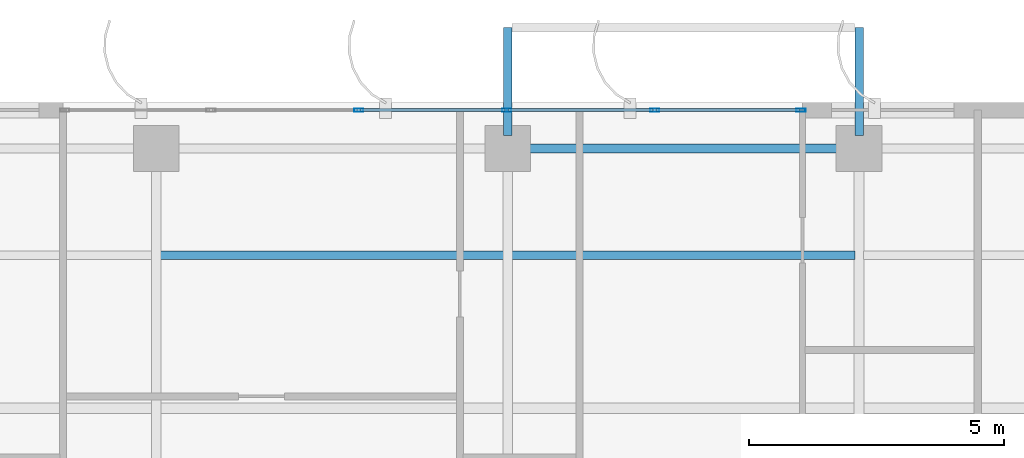
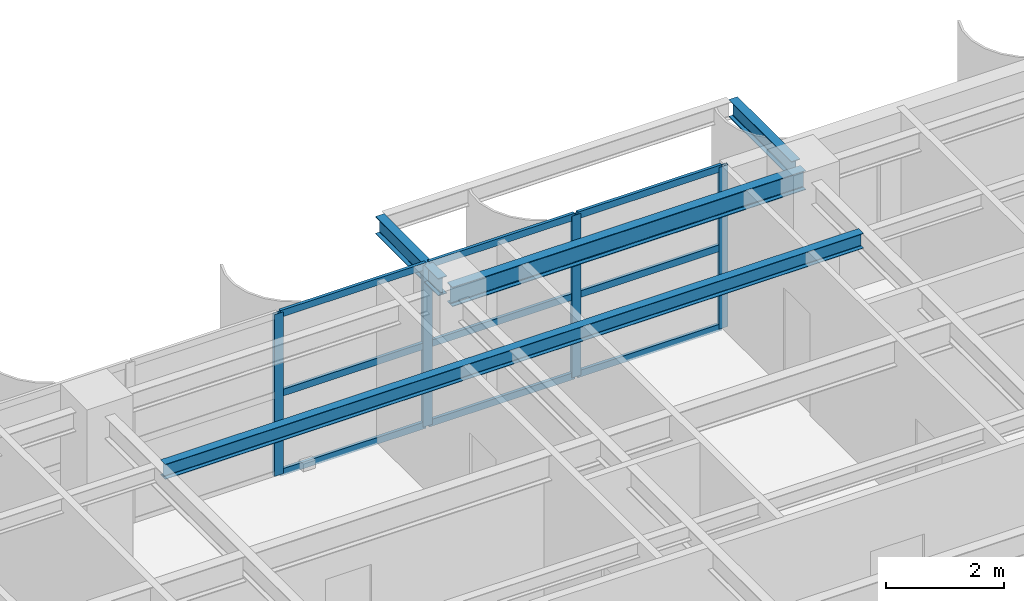
# One storey, part 14 of 23: 13 members, 4 beams, 1 element without a shape of its own.
"""IFC4 building model written with IfcOpenShell, lengths in metres."""

from ifc_helpers import new_model, si_unit, direction, frame, origin, origin_2d, place, context, subcontext, project, spatial, hollow_rectangle, i_section, extrude, source, transform, mapped, material, layer, layer_set, material_profile, profile_set, type_object, element, aggregate, save


model = new_model("IFC4")

# Units and contexts
model_context = context("Model", 3, precision=1e-05, world=origin(), true_north=direction((0.0, 1.0)))
body_context = subcontext(model_context, "Body", "Model", "MODEL_VIEW")
ifc_project = project(units=[si_unit("LENGTHUNIT", "METRE"), si_unit("AREAUNIT", "SQUARE_METRE"), si_unit("VOLUMEUNIT", "CUBIC_METRE"), si_unit("PLANEANGLEUNIT", "RADIAN"), si_unit("MASSUNIT", "GRAM", prefix="KILO")], contexts=[model_context])

# Site, building, storey
site_placement = place(None, origin())
site = spatial("IfcSite", under=ifc_project, at=site_placement, CompositionType="ELEMENT")
building_placement = place(site_placement, origin())
building = spatial("IfcBuilding", under=site, at=building_placement, Name="Khoralis Quay Care Tower", CompositionType="ELEMENT")
storey_placement = place(building_placement, frame((0.0, 0.0, 173.699951171875)))
storey = spatial("IfcBuildingStorey", under=building, at=storey_placement, Name="L45", CompositionType="ELEMENT", Elevation=173.699951171875)

# Beams
ifc_material_1 = material(Name="Steel S355", Category="steel")
ifc_material_profile_1 = material_profile(ifc_material_1, i_section(OverallWidth=0.179931640625, OverallDepth=0.39990234375, WebThickness=0.008544921875, FlangeThickness=0.013427734375, FilletRadius=0.02099609375, at=origin_2d()), Name="Steel S355")
ifc_profile_set_1 = profile_set([ifc_material_profile_1], Name="Steel S355")
beam_type_1 = type_object("IfcBeamType", Name="BM-IPE400", PredefinedType="SPANDREL", material=ifc_profile_set_1)
shared_shape_1 = source(origin(), body_context, "Body", "SweptSolid", [
    extrude(i_section(OverallWidth=0.179931640625, OverallDepth=0.39990234375, WebThickness=0.008544921875, FlangeThickness=0.013427734375, FilletRadius=0.02099609375, at=origin_2d()), origin(), (0.0, 0.0, 1.0), 6.89990234375),
])
beam_1_placement = place(storey_placement, frame((24.0, 41.10009765625, 3.14013671875), z_axis=(1.0, 0.0, 0.0), x_axis=(0.0, 1.0, 0.0)))
element("IfcBeam", 1, at=beam_1_placement, inside=storey, type_object=beam_type_1, Name="BM-TSP-L45-07", PredefinedType="SPANDREL", context=body_context, shape_type="MappedRepresentation", body=[
    mapped(shared_shape_1, transform((0.0, 0.0, 0.0), scale=1.0)),
])
ifc_material_profile_2 = material_profile(ifc_material_1, i_section(OverallWidth=0.1650390625, OverallDepth=0.31005859375, WebThickness=0.005859375, FlangeThickness=0.009765625, FilletRadius=0.011962890625, at=origin_2d()), Name="Steel S355")
ifc_profile_set_2 = profile_set([ifc_material_profile_2], Name="Steel S355")
beam_type_2 = type_object("IfcBeamType", Name="BM-W310X39", PredefinedType="JOIST", material=ifc_profile_set_2)
shared_shape_2 = source(origin(), body_context, "Body", "SweptSolid", [
    extrude(i_section(OverallWidth=0.1650390625, OverallDepth=0.31005859375, WebThickness=0.005859375, FlangeThickness=0.009765625, FilletRadius=0.011962890625, at=origin_2d()), origin(), (0.0, 0.0, 1.0), 13.6318359375),
])
beam_2_placement = place(storey_placement, frame((17.18408203125, 39.0, 3.18505859375), z_axis=(1.0, 0.0, 0.0), x_axis=(0.0, 1.0, 0.0)))
element("IfcBeam", 2, at=beam_2_placement, inside=storey, type_object=beam_type_2, Name="BM-TJS-L45-31", PredefinedType="JOIST", context=body_context, shape_type="MappedRepresentation", body=[
    mapped(shared_shape_2, transform((0.0, 0.0, 0.0), scale=1.0)),
])
ifc_material_profile_3 = material_profile(ifc_material_1, i_section(OverallWidth=0.169921875, OverallDepth=0.360107421875, WebThickness=0.008056640625, FlangeThickness=0.0126953125, FilletRadius=0.01806640625, at=origin_2d()), Name="Steel S355")
ifc_profile_set_3 = profile_set([ifc_material_profile_3], Name="Steel S355")
beam_type_3 = type_object("IfcBeamType", Name="BM-IPE360", PredefinedType="SPANDREL", material=ifc_profile_set_3)
shared_shape_3 = source(origin(), body_context, "Body", "SweptSolid", [
    extrude(i_section(OverallWidth=0.169921875, OverallDepth=0.360107421875, WebThickness=0.008056640625, FlangeThickness=0.0126953125, FilletRadius=0.01806640625, at=origin_2d()), origin(), (0.0, 0.0, 1.0), 2.119873046875),
])
for number, where, z_axis, x_axis, name in (
    (3, (24.0, 41.35009765625, 3.1640625), (0.0, 1.0, 0.0), (-1.0, 0.0, 0.0), "L46 Balcony Cantilever Outrigger Beam 1"),
    (4, (30.89990234375, 41.35009765625, 3.1640625), (0.0, 1.0, 0.0), (-1.0, 0.0, 0.0), "L46 Balcony Cantilever Outrigger Beam 2"),
):
    element("IfcBeam", number, at=place(storey_placement, frame(where, z_axis=z_axis, x_axis=x_axis)), inside=storey, type_object=beam_type_3, Name=name, PredefinedType="SPANDREL", context=body_context, shape_type="MappedRepresentation", body=[
        mapped(shared_shape_3, transform((0.0, 0.0, 0.0), scale=1.0)),
    ])

# Curtain wall, members
ifc_material_2 = material(Name="Pale anodised aluminium", Category="aluminium")
ifc_layer = layer(ifc_material_2, 0.159912109375)
ifc_layer_set = layer_set([ifc_layer], Name="Pale anodised aluminium")
curtain_wall_type = type_object("IfcCurtainWallType", Name="CW-SYS-Z3", PredefinedType="NOTDEFINED", material=ifc_layer_set)
curtain_wall_placement = place(storey_placement, origin())
curtain_wall = element("IfcCurtainWall", 5, at=curtain_wall_placement, inside=storey, type_object=curtain_wall_type, Name="L45 Unitised Curtain Wall CW-L45-P1-E10", PredefinedType="NOTDEFINED")
ifc_material_profile_4 = material_profile(ifc_material_2, hollow_rectangle(XDim=0.06494140625, YDim=0.179931640625, WallThickness=0.00390625, at=origin_2d()), Name="Pale anodised aluminium")
ifc_profile_set_4 = profile_set([ifc_material_profile_4], Name="Pale anodised aluminium")
member_type_1 = type_object("IfcMemberType", Name="CW-MUL-180", PredefinedType="MULLION", material=ifc_profile_set_4)
shared_shape_4 = source(origin(), body_context, "Body", "SweptSolid", [
    extrude(hollow_rectangle(XDim=0.06494140625, YDim=0.179931640625, WallThickness=0.00390625, at=origin_2d()), origin(), (0.0, 0.0, 1.0), 3.340087890625),
])
member_1_placement = place(storey_placement, frame((29.759033203125, 41.85009765625, 0.0), z_axis=(0.0, 0.0, 1.0), x_axis=(0.0, -1.0, 0.0)))
member_1 = element("IfcMember", 6, at=member_1_placement, type_object=member_type_1, Name="CW3 mullion 1", PredefinedType="MULLION", context=body_context, shape_type="MappedRepresentation", body=[
    mapped(shared_shape_4, transform((0.0, 0.0, 0.0), scale=1.0)),
])
member_2_placement = place(storey_placement, frame((26.88525390625, 41.85009765625, 0.0), z_axis=(0.0, 0.0, 1.0), x_axis=(0.0, -1.0, 0.0)))
member_2 = element("IfcMember", 7, at=member_2_placement, type_object=member_type_1, Name="CW3 mullion 2", PredefinedType="MULLION", context=body_context, shape_type="MappedRepresentation", body=[
    mapped(shared_shape_4, transform((0.0, 0.0, 0.0), scale=1.0)),
])
member_3_placement = place(storey_placement, frame((23.9814453125, 41.85009765625, 0.0), z_axis=(0.0, 0.0, 1.0), x_axis=(0.0, -1.0, 0.0)))
member_3 = element("IfcMember", 8, at=member_3_placement, type_object=member_type_1, Name="CW3 mullion 3", PredefinedType="MULLION", context=body_context, shape_type="MappedRepresentation", body=[
    mapped(shared_shape_4, transform((0.0, 0.0, 0.0), scale=1.0)),
])
member_4_placement = place(storey_placement, frame((21.07763671875, 41.85009765625, 0.0), z_axis=(0.0, 0.0, 1.0), x_axis=(0.0, -1.0, 0.0)))
member_4 = element("IfcMember", 9, at=member_4_placement, type_object=member_type_1, Name="CW3 mullion 4", PredefinedType="MULLION", context=body_context, shape_type="MappedRepresentation", body=[
    mapped(shared_shape_4, transform((0.0, 0.0, 0.0), scale=1.0)),
])
ifc_material_profile_5 = material_profile(ifc_material_2, hollow_rectangle(XDim=0.06005859375, YDim=0.139892578125, WallThickness=0.00390625, at=origin_2d()), Name="Pale anodised aluminium")
ifc_profile_set_5 = profile_set([ifc_material_profile_5], Name="Pale anodised aluminium")
member_type_2 = type_object("IfcMemberType", Name="CW-TRN-140", PredefinedType="USERDEFINED", material=ifc_profile_set_5)
shared_shape_5 = source(origin(), body_context, "Body", "SweptSolid", [
    extrude(hollow_rectangle(XDim=0.06005859375, YDim=0.139892578125, WallThickness=0.00390625, at=origin_2d()), origin(), (0.0, 0.0, 1.0), 2.813720703125),
])
member_5_placement = place(storey_placement, frame((29.72900390625, 41.85009765625, 0.030029296875), z_axis=(-1.0, 0.0, 0.0), x_axis=(0.0, -1.0, 0.0)))
member_5 = element("IfcMember", 10, at=member_5_placement, type_object=member_type_2, Name="CW3 transom 1.1", ObjectType="TRANSOM", PredefinedType="USERDEFINED", context=body_context, shape_type="MappedRepresentation", body=[
    mapped(shared_shape_5, transform((0.0, 0.0, 0.0), scale=1.0)),
])
member_6_placement = place(storey_placement, frame((29.72900390625, 41.85009765625, 1.670166015625), z_axis=(-1.0, 0.0, 0.0), x_axis=(0.0, -1.0, 0.0)))
member_6 = element("IfcMember", 11, at=member_6_placement, type_object=member_type_2, Name="CW3 transom 1.2", ObjectType="TRANSOM", PredefinedType="USERDEFINED", context=body_context, shape_type="MappedRepresentation", body=[
    mapped(shared_shape_5, transform((0.0, 0.0, 0.0), scale=1.0)),
])
member_7_placement = place(storey_placement, frame((29.72900390625, 41.85009765625, 3.31005859375), z_axis=(-1.0, 0.0, 0.0), x_axis=(0.0, -1.0, 0.0)))
member_7 = element("IfcMember", 12, at=member_7_placement, type_object=member_type_2, Name="CW3 transom 1.3", ObjectType="TRANSOM", PredefinedType="USERDEFINED", context=body_context, shape_type="MappedRepresentation", body=[
    mapped(shared_shape_5, transform((0.0, 0.0, 0.0), scale=1.0)),
])
shared_shape_6 = source(origin(), body_context, "Body", "SweptSolid", [
    extrude(hollow_rectangle(XDim=0.06005859375, YDim=0.139892578125, WallThickness=0.00390625, at=origin_2d()), origin(), (0.0, 0.0, 1.0), 2.84375),
])
member_8_placement = place(storey_placement, frame((26.855224609375, 41.85009765625, 0.030029296875), z_axis=(-1.0, 0.0, 0.0), x_axis=(0.0, -1.0, 0.0)))
member_8 = element("IfcMember", 13, at=member_8_placement, type_object=member_type_2, Name="CW3 transom 2.1", ObjectType="TRANSOM", PredefinedType="USERDEFINED", context=body_context, shape_type="MappedRepresentation", body=[
    mapped(shared_shape_6, transform((0.0, 0.0, 0.0), scale=1.0)),
])
member_9_placement = place(storey_placement, frame((26.855224609375, 41.85009765625, 1.670166015625), z_axis=(-1.0, 0.0, 0.0), x_axis=(0.0, -1.0, 0.0)))
member_9 = element("IfcMember", 14, at=member_9_placement, type_object=member_type_2, Name="CW3 transom 2.2", ObjectType="TRANSOM", PredefinedType="USERDEFINED", context=body_context, shape_type="MappedRepresentation", body=[
    mapped(shared_shape_6, transform((0.0, 0.0, 0.0), scale=1.0)),
])
member_10_placement = place(storey_placement, frame((26.855224609375, 41.85009765625, 3.31005859375), z_axis=(-1.0, 0.0, 0.0), x_axis=(0.0, -1.0, 0.0)))
member_10 = element("IfcMember", 15, at=member_10_placement, type_object=member_type_2, Name="CW3 transom 2.3", ObjectType="TRANSOM", PredefinedType="USERDEFINED", context=body_context, shape_type="MappedRepresentation", body=[
    mapped(shared_shape_6, transform((0.0, 0.0, 0.0), scale=1.0)),
])
member_11_placement = place(storey_placement, frame((23.951416015625, 41.85009765625, 0.030029296875), z_axis=(-1.0, 0.0, 0.0), x_axis=(0.0, -1.0, 0.0)))
member_11 = element("IfcMember", 16, at=member_11_placement, type_object=member_type_2, Name="CW3 transom 3.1", ObjectType="TRANSOM", PredefinedType="USERDEFINED", context=body_context, shape_type="MappedRepresentation", body=[
    mapped(shared_shape_6, transform((0.0, 0.0, 0.0), scale=1.0)),
])
member_12_placement = place(storey_placement, frame((23.951416015625, 41.85009765625, 1.670166015625), z_axis=(-1.0, 0.0, 0.0), x_axis=(0.0, -1.0, 0.0)))
member_12 = element("IfcMember", 17, at=member_12_placement, type_object=member_type_2, Name="CW3 transom 3.2", ObjectType="TRANSOM", PredefinedType="USERDEFINED", context=body_context, shape_type="MappedRepresentation", body=[
    mapped(shared_shape_6, transform((0.0, 0.0, 0.0), scale=1.0)),
])
member_13_placement = place(storey_placement, frame((23.951416015625, 41.85009765625, 3.31005859375), z_axis=(-1.0, 0.0, 0.0), x_axis=(0.0, -1.0, 0.0)))
member_13 = element("IfcMember", 18, at=member_13_placement, type_object=member_type_2, Name="CW3 transom 3.3", ObjectType="TRANSOM", PredefinedType="USERDEFINED", context=body_context, shape_type="MappedRepresentation", body=[
    mapped(shared_shape_6, transform((0.0, 0.0, 0.0), scale=1.0)),
])
aggregate(curtain_wall, [member_1, member_2, member_3, member_4, member_5, member_6, member_7, member_8, member_9, member_10, member_11, member_12, member_13])

save(model, "model.ifc")
